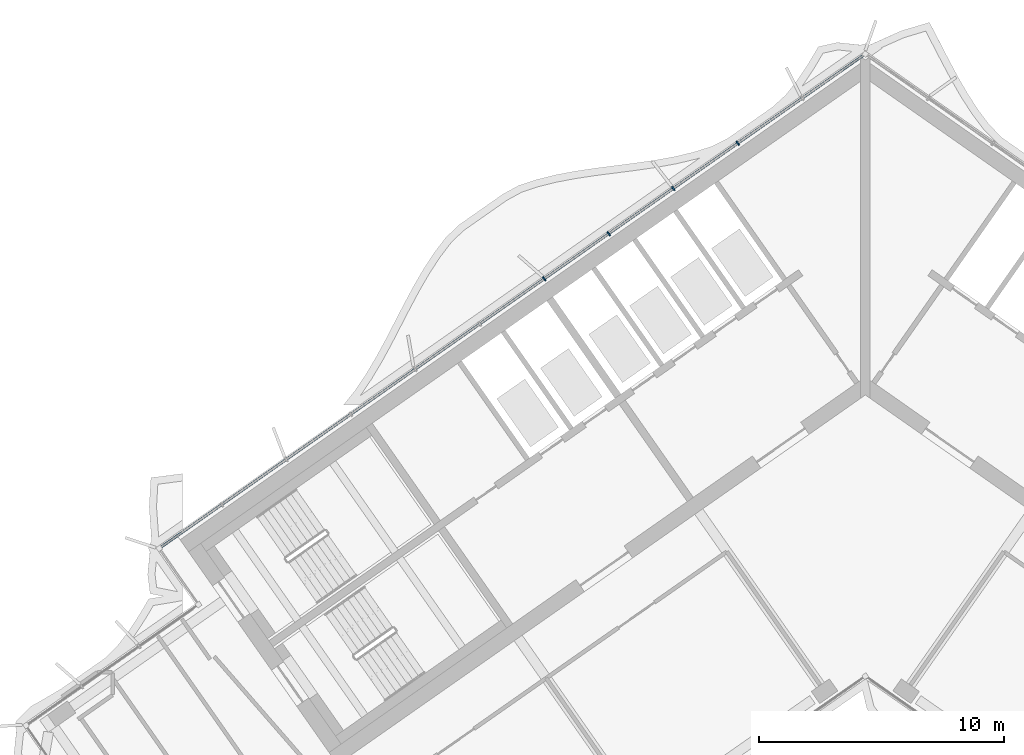
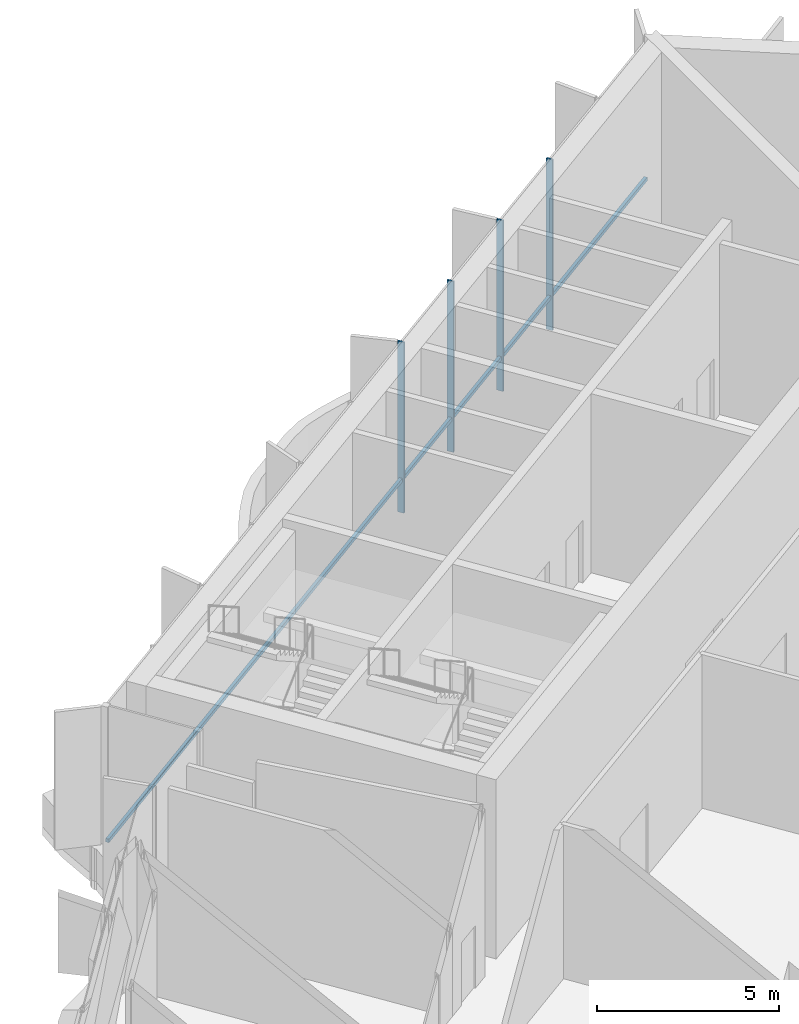
# One storey, part 7 of 22: 5 members, 1 element without a shape of its own.
"""IFC4 building model written with IfcOpenShell, lengths in metres."""

import ifcopenshell
import ifcopenshell.guid

model = None  # the IFC model being written
_history = None  # IfcOwnerHistory: only IFC2X3 demands one
_inside = {}  # id of a spatial element -> (the spatial element, [elements in it])
_under = {}  # id of a project, library or spatial element -> (it, [spatial elements below it])
_declared = {}  # id of a project -> (the project, [libraries it declares])
_typed = {}  # id of a type object -> (the type object, [elements of that type])
_made_of = {}  # id of a material, layer set ... -> (it, [elements and type objects made of it])


def new_model(schema):
    """Start an empty IFC model of exactly this schema.

    Asked for "IFC4X3", IfcOpenShell would pick the latest addendum, in which some entities
    have other attributes; the version numbers below select the first issue.
    IFC2X3 requires an IfcOwnerHistory on every rooted entity: one is made here for all.
    """
    global model, _history
    if schema == "IFC4X3":
        model = ifcopenshell.file(schema_version=(4, 3, 0, 0))
    else:
        model = ifcopenshell.file(schema=schema)
    _inside.clear()
    _under.clear()
    _declared.clear()
    _typed.clear()
    _made_of.clear()
    _history = None
    if model.schema == "IFC2X3":
        org = make("IfcOrganization", Name="unknown")
        user = make(
            "IfcPersonAndOrganization",
            ThePerson=make("IfcPerson", FamilyName="unknown"),
            TheOrganization=org,
        )
        app = make(
            "IfcApplication",
            ApplicationDeveloper=org,
            Version="unknown",
            ApplicationFullName="unknown",
            ApplicationIdentifier="unknown",
        )
        _history = make(
            "IfcOwnerHistory",
            OwningUser=user,
            OwningApplication=app,
            ChangeAction="ADDED",
            CreationDate=0,
        )
    return model


def make(cls, **values):
    """One entity of the class cls with the attributes given. An attribute that is None is left unset."""
    return model.create_entity(
        cls, **{name: value for name, value in values.items() if value is not None}
    )


def rooted(cls, **values):
    """An entity with a GlobalId (a new one), such as an element, a storey or a relation."""
    return make(cls, GlobalId=ifcopenshell.guid.new(), OwnerHistory=_history, **values)


def si_unit(unit_type, name, prefix=None):
    """IfcSIUnit, for example si_unit("LENGTHUNIT", "METRE", prefix="MILLI")."""
    return make("IfcSIUnit", UnitType=unit_type, Prefix=prefix, Name=name)


def assignment(units):
    """IfcUnitAssignment: the units of a project."""
    return None if units is None else make("IfcUnitAssignment", Units=units)


def point(xyz):
    """IfcCartesianPoint."""
    return None if xyz is None else make("IfcCartesianPoint", Coordinates=xyz)


def direction(xyz):
    """IfcDirection."""
    return None if xyz is None else make("IfcDirection", DirectionRatios=xyz)


def frame(location, z_axis=None, x_axis=None):
    """IfcAxis2Placement3D, a coordinate frame: its origin and axes. An axis left out is left unset."""
    return make(
        "IfcAxis2Placement3D",
        Location=point(location),
        Axis=direction(z_axis),
        RefDirection=direction(x_axis),
    )


def frame_2d(location, x_axis=None):
    """IfcAxis2Placement2D, a coordinate frame in the plane: its origin and x axis."""
    return make(
        "IfcAxis2Placement2D", Location=point(location), RefDirection=direction(x_axis)
    )


def origin():
    """The frame at (0, 0, 0) with its axes left unset."""
    return frame((0.0, 0.0, 0.0))


def origin_2d():
    """The frame at (0, 0) in the plane with its x axis left unset."""
    return frame_2d((0.0, 0.0))


def place(relative_to, where):
    """IfcLocalPlacement: puts the frame where relative to a parent placement (None: the world)."""
    return make(
        "IfcLocalPlacement", PlacementRelTo=relative_to, RelativePlacement=where
    )


def context(
    kind, dimensions, precision=None, world=None, true_north=None, identifier=None
):
    """IfcGeometricRepresentationContext, for example the 3D "Model" context."""
    return make(
        "IfcGeometricRepresentationContext",
        ContextIdentifier=identifier,
        ContextType=kind,
        CoordinateSpaceDimension=dimensions,
        Precision=precision,
        WorldCoordinateSystem=world,
        TrueNorth=true_north,
    )


def subcontext(parent, identifier, kind, view, scale=None):
    """IfcGeometricRepresentationSubContext, for example "Body" below "Model"."""
    return make(
        "IfcGeometricRepresentationSubContext",
        ContextIdentifier=identifier,
        ContextType=kind,
        ParentContext=parent,
        TargetScale=scale,
        TargetView=view,
    )


def project(units=None, contexts=None):
    """IfcProject with its units and contexts."""
    return rooted(
        "IfcProject",
        Name="project",
        RepresentationContexts=contexts,
        UnitsInContext=assignment(units),
    )


def spatial(cls, under=None, at=None, **own):
    """A site, building, storey or space (cls), placed at a placement, below another one or the project."""
    s = rooted(cls, ObjectPlacement=at, **own)
    if under is not None:
        _under.setdefault(under.id(), (under, []))[1].append(s)
    return s


def profile(cls, at=None, kind="AREA", **sizes):
    """A parametric profile (cls). Its sizes go by their IFC names, for example OverallWidth=200.0."""
    return make(cls, ProfileType=kind, Position=at, **sizes)


def rectangle(**sizes):
    """IfcRectangleProfileDef."""
    return profile("IfcRectangleProfileDef", **sizes)


def extrude(swept, where, along, depth):
    """IfcExtrudedAreaSolid: the profile swept, set in the frame where, extruded along a direction by depth."""
    return make(
        "IfcExtrudedAreaSolid",
        SweptArea=swept,
        Position=where,
        ExtrudedDirection=direction(along),
        Depth=depth,
    )


def shape(context_of_items, identifier, shape_type, items):
    """IfcShapeRepresentation: the items that make up one representation, for example the "Body"."""
    return make(
        "IfcShapeRepresentation",
        ContextOfItems=context_of_items,
        RepresentationIdentifier=identifier,
        RepresentationType=shape_type,
        Items=items,
    )


def material(Name=None, Category=None):
    """IfcMaterial."""
    return make("IfcMaterial", Name=Name, Category=Category)


def material_profile(
    of_material, cross_section, Name=None, Category=None, Priority=None
):
    """IfcMaterialProfile: a cross section and its material."""
    return make(
        "IfcMaterialProfile",
        Name=Name,
        Material=of_material,
        Profile=cross_section,
        Priority=Priority,
        Category=Category,
    )


def profile_set(profiles, Name=None, composite=None):
    """IfcMaterialProfileSet."""
    return make(
        "IfcMaterialProfileSet",
        Name=Name,
        MaterialProfiles=profiles,
        CompositeProfile=composite,
    )


def made_of(thing, what):
    """Note that an element or type object is made of a material, layer set ...; save() writes the relation."""
    if what is not None:
        _made_of.setdefault(what.id(), (what, []))[1].append(thing)
    return thing


def type_object(cls, material=None, **own):
    """A type object (cls), such as IfcWallType, which elements share."""
    return made_of(rooted(cls, **own), material)


def element(
    cls,
    number,
    at=None,
    inside=None,
    cuts=None,
    type_object=None,
    material=None,
    context=None,
    identifier="Body",
    shape_type=None,
    held_by="IfcProductDefinitionShape",
    body=None,
    shapes=None,
    **own,
):
    """One element of the class cls, such as IfcWall. Its Tag is "e" and its number.

    at: its placement. inside: the storey or other place that contains it. cuts: it is an
    opening in that element (IfcRelVoidsElement). A single representation is given by context,
    identifier, shape_type and body (its items); several are given by shapes. held_by: the class
    of the entity that holds the representations. save() writes the other relations.
    """
    e = rooted(cls, Tag="e%d" % number, ObjectPlacement=at, **own)
    if body is not None:
        shapes = [shape(context, identifier, shape_type, body)]
    if shapes is not None:
        e.Representation = make(held_by, Representations=shapes)
    if inside is not None:
        _inside.setdefault(inside.id(), (inside, []))[1].append(e)
    if cuts is not None:
        rooted(
            "IfcRelVoidsElement", RelatingBuildingElement=cuts, RelatedOpeningElement=e
        )
    if type_object is not None:
        _typed.setdefault(type_object.id(), (type_object, []))[1].append(e)
    return made_of(e, material)


def aggregate(whole, parts):
    """IfcRelAggregates: a whole, such as a stair, and the parts it consists of."""
    return rooted("IfcRelAggregates", RelatingObject=whole, RelatedObjects=parts)


def save(model, path):
    """Write the relations noted so far, then the file.

    IfcRelAggregates (storeys below a building ...), IfcRelContainedInSpatialStructure (elements
    in a storey), IfcRelDefinesByType, IfcRelAssociatesMaterial and IfcRelDeclares: one each for
    every whole, place, type object, material and project.
    """
    for whole, parts in _under.values():
        aggregate(whole, parts)
    for where, things in _inside.values():
        rooted(
            "IfcRelContainedInSpatialStructure",
            RelatedElements=things,
            RelatingStructure=where,
        )
    for kind, things in _typed.values():
        rooted("IfcRelDefinesByType", RelatedObjects=things, RelatingType=kind)
    for what, things in _made_of.values():
        rooted("IfcRelAssociatesMaterial", RelatedObjects=things, RelatingMaterial=what)
    for by, libraries in _declared.values():
        rooted("IfcRelDeclares", RelatingContext=by, RelatedDefinitions=libraries)
    model.write(path)


model = new_model("IFC4")

# Units and contexts
model_context = context("Model", 3, precision=1e-05, world=origin(), true_north=direction((0.0, 1.0)))
body_context = subcontext(model_context, "Body", "Model", "MODEL_VIEW")
ifc_project = project(units=[si_unit("LENGTHUNIT", "METRE"), si_unit("AREAUNIT", "SQUARE_METRE"), si_unit("VOLUMEUNIT", "CUBIC_METRE"), si_unit("PLANEANGLEUNIT", "RADIAN"), si_unit("MASSUNIT", "GRAM", prefix="KILO")], contexts=[model_context])

# Site, building, storey
site_placement = place(None, origin())
site = spatial("IfcSite", under=ifc_project, at=site_placement, CompositionType="ELEMENT")
building_placement = place(site_placement, origin())
building = spatial("IfcBuilding", under=site, at=building_placement, Name="Tel Ilan Convention Tower", CompositionType="ELEMENT")
storey_placement = place(building_placement, frame((0.0, 0.0, 219.39990234375)))
storey = spatial("IfcBuildingStorey", under=building, at=storey_placement, Name="L51", CompositionType="ELEMENT", Elevation=219.39990234375)

# Curtain wall, members
ifc_material_1 = material(Name="Aluminium, bronze anodised", Category="aluminium")
curtain_wall_type = type_object("IfcCurtainWallType", Name="CW2 STICK CURTAIN WALL, SPANDREL PANELS", PredefinedType="NOTDEFINED", material=ifc_material_1)
curtain_wall_placement = place(storey_placement, origin())
curtain_wall = element("IfcCurtainWall", 1, at=curtain_wall_placement, inside=storey, type_object=curtain_wall_type, Name="Curtain wall CW2-40.01", PredefinedType="NOTDEFINED")
ifc_material_2 = material(Name="Aluminium, bronze anodised", Category="aluminium")
ifc_material_profile_1 = material_profile(ifc_material_2, rectangle(XDim=0.06005859375, YDim=0.199951171875, at=origin_2d()), Name="CW MULLION 60x200")
ifc_profile_set_1 = profile_set([ifc_material_profile_1], Name="Aluminium, bronze anodised")
member_type_1 = type_object("IfcMemberType", Name="CW MULLION 60x200", PredefinedType="MULLION", material=ifc_profile_set_1)
member_1_placement = place(storey_placement, frame((-5.207763671875, 9.049560546875, 0.0), z_axis=(0.0, 0.0, 1.0), x_axis=(-0.819152044289, -0.573576436351, 0.0)))
member_1 = element("IfcMember", 2, at=member_1_placement, type_object=member_type_1, Name="Mullion", PredefinedType="MULLION", context=body_context, shape_type="SweptSolid", body=[
    extrude(rectangle(XDim=0.06005859375, YDim=0.199951171875, at=origin_2d()), origin(), (0.0, 0.0, 1.0), 5.72021484375),
])
member_2_placement = place(storey_placement, frame((-7.840576171875, 7.2060546875, 0.0), z_axis=(0.0, 0.0, 1.0), x_axis=(-0.819152044289, -0.573576436351, 0.0)))
member_2 = element("IfcMember", 3, at=member_2_placement, type_object=member_type_1, Name="Mullion", PredefinedType="MULLION", context=body_context, shape_type="SweptSolid", body=[
    extrude(rectangle(XDim=0.06005859375, YDim=0.199951171875, at=origin_2d()), origin(), (0.0, 0.0, 1.0), 5.72021484375),
])
member_3_placement = place(storey_placement, frame((-10.47314453125, 5.36279296875, 0.0), z_axis=(0.0, 0.0, 1.0), x_axis=(-0.819152044289, -0.573576436351, 0.0)))
member_3 = element("IfcMember", 4, at=member_3_placement, type_object=member_type_1, Name="Mullion", PredefinedType="MULLION", context=body_context, shape_type="SweptSolid", body=[
    extrude(rectangle(XDim=0.06005859375, YDim=0.199951171875, at=origin_2d()), origin(), (0.0, 0.0, 1.0), 5.72021484375),
])
member_4_placement = place(storey_placement, frame((-13.105712890625, 3.519287109375, 0.0), z_axis=(0.0, 0.0, 1.0), x_axis=(-0.819152044289, -0.573576436351, 0.0)))
member_4 = element("IfcMember", 5, at=member_4_placement, type_object=member_type_1, Name="Mullion", PredefinedType="MULLION", context=body_context, shape_type="SweptSolid", body=[
    extrude(rectangle(XDim=0.06005859375, YDim=0.199951171875, at=origin_2d()), origin(), (0.0, 0.0, 1.0), 5.72021484375),
])
ifc_material_3 = material(Name="Aluminium, bronze anodised", Category="aluminium")
ifc_material_profile_2 = material_profile(ifc_material_3, rectangle(XDim=0.10009765625, YDim=0.1201171875, at=origin_2d()), Name="CW TRANSOM 100x120")
ifc_profile_set_2 = profile_set([ifc_material_profile_2], Name="Aluminium, bronze anodised")
member_type_2 = type_object("IfcMemberType", Name="CW TRANSOM 100x120", PredefinedType="USERDEFINED", material=ifc_profile_set_2)
member_5_placement = place(storey_placement, frame((-0.1064453125, 12.62158203125, 1.10009765625), z_axis=(-0.819150201937, -0.573579067494, 0.0), x_axis=(0.573579067494, -0.819150201937, 0.0)))
member_5 = element("IfcMember", 6, at=member_5_placement, type_object=member_type_2, Name="Transom", ObjectType="TRANSOM", PredefinedType="USERDEFINED", context=body_context, shape_type="SweptSolid", body=[
    extrude(rectangle(XDim=0.10009765625, YDim=0.1201171875, at=origin_2d()), origin(), (0.0, 0.0, 1.0), 34.9521484375),
])
aggregate(curtain_wall, [member_1, member_2, member_3, member_4, member_5])

save(model, "model.ifc")
